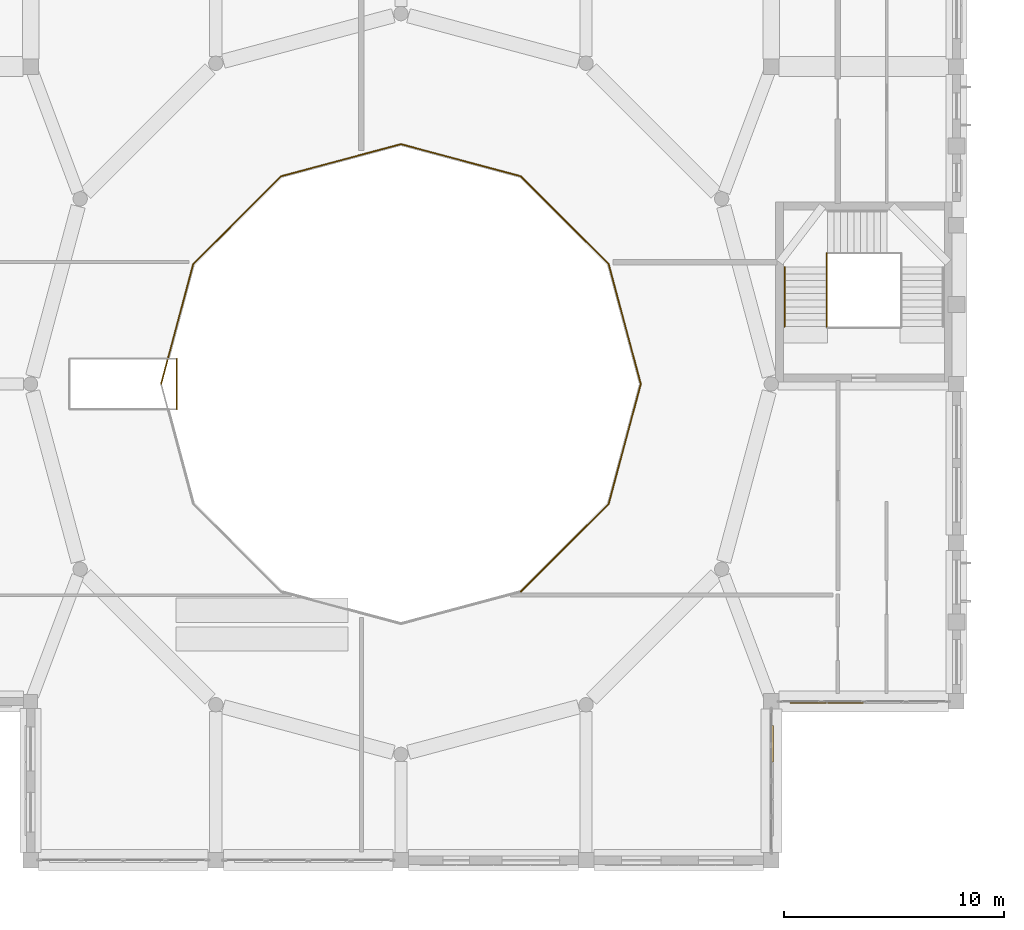
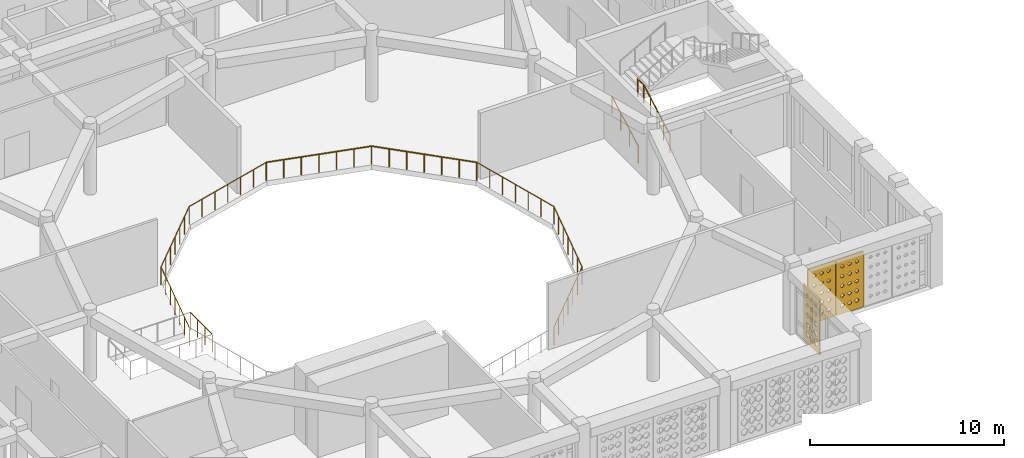
# One storey, part 66 of 79: 11 railings, 3 coverings.
"""IFC4 building model written with IfcOpenShell, lengths in metres."""

from ifc_helpers import new_model, si_unit, derived_unit, direction, frame, origin, origin_2d, place, context, subcontext, project, spatial, polyline, circle, outline, extrude, material, layer, layer_set, type_object, element, save


model = new_model("IFC4")

# Units and contexts
model_context = context("Model", 3, precision=1e-05, world=origin(), true_north=direction((0.0, 1.0)))
body_context = subcontext(model_context, "Body", "Model", "MODEL_VIEW")
ifc_project = project(units=[si_unit("LENGTHUNIT", "METRE"), si_unit("AREAUNIT", "SQUARE_METRE"), si_unit("VOLUMEUNIT", "CUBIC_METRE"), si_unit("PLANEANGLEUNIT", "RADIAN"), si_unit("MASSUNIT", "GRAM", prefix="KILO"), derived_unit("THERMALTRANSMITTANCEUNIT", [(si_unit("POWERUNIT", "WATT"), 1), (si_unit("LENGTHUNIT", "METRE"), -2), (si_unit("THERMODYNAMICTEMPERATUREUNIT", "KELVIN"), -1)])], contexts=[model_context])

# Site, building, storey
site_placement = place(None, origin())
site = spatial("IfcSite", under=ifc_project, at=site_placement, CompositionType="ELEMENT")
building_placement = place(site_placement, origin())
building = spatial("IfcBuilding", under=site, at=building_placement, Name="Veybourne Emporium", CompositionType="ELEMENT")
storey_placement = place(building_placement, frame((0.0, 0.0, 18.89990234375)))
storey = spatial("IfcBuildingStorey", under=building, at=storey_placement, Name="L04", CompositionType="ELEMENT", Elevation=18.89990234375)

# Railings
ifc_material_1 = material(Name="Patinated Architectural Bronze", Category="bronze")
railing_type_1 = type_object("IfcRailingType", Name="Balustrade_BL-01", PredefinedType="BALUSTRADE", material=ifc_material_1)
railing_1_placement = place(storey_placement, frame((86.47998046875, 50.39990234375, 0.0)))
element("IfcRailing", 1, at=railing_1_placement, inside=storey, type_object=railing_type_1, Name="L04 central atrium void balustrade 01", PredefinedType="BALUSTRADE", context=body_context, shape_type="SweptSolid", body=[
    extrude(circle(Radius=0.02392578125, at=origin_2d()), frame((0.0, 0.0, 1.1259765625), z_axis=(-0.25879025426, 0.965933540312, 0.0), x_axis=(-0.965933540312, -0.25879025426, 0.0)), (0.0, 0.0, 1.0), 5.632080078125),
    extrude(circle(Radius=0.02099609375, at=origin_2d()), origin(), (0.0, 0.0, 1.0), 1.101806640625),
    extrude(circle(Radius=0.02099609375, at=origin_2d()), frame((-0.242919921875, 0.90673828125, 0.0)), (0.0, 0.0, 1.0), 1.101806640625),
    extrude(circle(Radius=0.02099609375, at=origin_2d()), frame((-0.48583984375, 1.8134765625, 0.0)), (0.0, 0.0, 1.0), 1.101806640625),
    extrude(circle(Radius=0.02099609375, at=origin_2d()), frame((-0.728759765625, 2.72021484375, 0.0)), (0.0, 0.0, 1.0), 1.101806640625),
    extrude(circle(Radius=0.02099609375, at=origin_2d()), frame((-0.9716796875, 3.626708984375, 0.0)), (0.0, 0.0, 1.0), 1.101806640625),
    extrude(circle(Radius=0.02099609375, at=origin_2d()), frame((-1.214599609375, 4.533447265625, 0.0)), (0.0, 0.0, 1.0), 1.101806640625),
    extrude(circle(Radius=0.02099609375, at=origin_2d()), frame((-1.45751953125, 5.440185546875, 0.0)), (0.0, 0.0, 1.0), 1.101806640625),
])
railing_2_placement = place(storey_placement, frame((85.0224609375, 55.840087890625, 0.0)))
element("IfcRailing", 2, at=railing_2_placement, inside=storey, type_object=railing_type_1, Name="L04 central atrium void balustrade 02", PredefinedType="BALUSTRADE", context=body_context, shape_type="SweptSolid", body=[
    extrude(circle(Radius=0.02392578125, at=origin_2d()), frame((0.0, 0.0, 1.1259765625), z_axis=(-0.707128455954, 0.707085105755, 0.0), x_axis=(-0.707085105755, -0.707128455954, 0.0)), (0.0, 0.0, 1.0), 5.6318359375),
    extrude(circle(Radius=0.02099609375, at=origin_2d()), origin(), (0.0, 0.0, 1.0), 1.101806640625),
    extrude(circle(Radius=0.02099609375, at=origin_2d()), frame((-0.663818359375, 0.66357421875, 0.0)), (0.0, 0.0, 1.0), 1.101806640625),
    extrude(circle(Radius=0.02099609375, at=origin_2d()), frame((-1.327392578125, 1.327392578125, 0.0)), (0.0, 0.0, 1.0), 1.101806640625),
    extrude(circle(Radius=0.02099609375, at=origin_2d()), frame((-1.9912109375, 1.9912109375, 0.0)), (0.0, 0.0, 1.0), 1.101806640625),
    extrude(circle(Radius=0.02099609375, at=origin_2d()), frame((-2.655029296875, 2.65478515625, 0.0)), (0.0, 0.0, 1.0), 1.101806640625),
    extrude(circle(Radius=0.02099609375, at=origin_2d()), frame((-3.318603515625, 3.318359375, 0.0)), (0.0, 0.0, 1.0), 1.101806640625),
    extrude(circle(Radius=0.02099609375, at=origin_2d()), frame((-3.982421875, 3.982177734375, 0.0)), (0.0, 0.0, 1.0), 1.101806640625),
])
railing_3_placement = place(storey_placement, frame((81.0400390625, 59.822265625, 0.0)))
element("IfcRailing", 3, at=railing_3_placement, inside=storey, type_object=railing_type_1, Name="L04 central atrium void balustrade 03", PredefinedType="BALUSTRADE", context=body_context, shape_type="SweptSolid", body=[
    extrude(circle(Radius=0.02392578125, at=origin_2d()), frame((0.0, 0.0, 1.1259765625), z_axis=(-0.965919799386, 0.258841536762, 0.0), x_axis=(-0.258841536762, -0.965919799386, 0.0)), (0.0, 0.0, 1.0), 5.6318359375),
    extrude(circle(Radius=0.02099609375, at=origin_2d()), origin(), (0.0, 0.0, 1.0), 1.101806640625),
    extrude(circle(Radius=0.02099609375, at=origin_2d()), frame((-0.90673828125, 0.242919921875, 0.0)), (0.0, 0.0, 1.0), 1.101806640625),
    extrude(circle(Radius=0.02099609375, at=origin_2d()), frame((-1.813232421875, 0.48583984375, 0.0)), (0.0, 0.0, 1.0), 1.101806640625),
    extrude(circle(Radius=0.02099609375, at=origin_2d()), frame((-2.719970703125, 0.72900390625, 0.0)), (0.0, 0.0, 1.0), 1.101806640625),
    extrude(circle(Radius=0.02099609375, at=origin_2d()), frame((-3.626708984375, 0.971923828125, 0.0)), (0.0, 0.0, 1.0), 1.101806640625),
    extrude(circle(Radius=0.02099609375, at=origin_2d()), frame((-4.533203125, 1.21484375, 0.0)), (0.0, 0.0, 1.0), 1.101806640625),
    extrude(circle(Radius=0.02099609375, at=origin_2d()), frame((-5.43994140625, 1.457763671875, 0.0)), (0.0, 0.0, 1.0), 1.101806640625),
])
railing_4_placement = place(storey_placement, frame((75.60009765625, 61.280029296875, 0.0)))
element("IfcRailing", 4, at=railing_4_placement, inside=storey, type_object=railing_type_1, Name="L04 central atrium void balustrade 04", PredefinedType="BALUSTRADE", context=body_context, shape_type="SweptSolid", body=[
    extrude(circle(Radius=0.02392578125, at=origin_2d()), frame((0.0, 0.0, 1.1259765625), z_axis=(-0.965922703593, -0.258830698881, 0.0), x_axis=(0.258830698881, -0.965922703593, 0.0)), (0.0, 0.0, 1.0), 5.632080078125),
    extrude(circle(Radius=0.02099609375, at=origin_2d()), origin(), (0.0, 0.0, 1.0), 1.101806640625),
    extrude(circle(Radius=0.02099609375, at=origin_2d()), frame((-0.90673828125, -0.242919921875, 0.0)), (0.0, 0.0, 1.0), 1.101806640625),
    extrude(circle(Radius=0.02099609375, at=origin_2d()), frame((-1.8134765625, -0.48583984375, 0.0)), (0.0, 0.0, 1.0), 1.101806640625),
    extrude(circle(Radius=0.02099609375, at=origin_2d()), frame((-2.72021484375, -0.72900390625, 0.0)), (0.0, 0.0, 1.0), 1.101806640625),
    extrude(circle(Radius=0.02099609375, at=origin_2d()), frame((-3.626708984375, -0.971923828125, 0.0)), (0.0, 0.0, 1.0), 1.101806640625),
    extrude(circle(Radius=0.02099609375, at=origin_2d()), frame((-4.533447265625, -1.21484375, 0.0)), (0.0, 0.0, 1.0), 1.101806640625),
    extrude(circle(Radius=0.02099609375, at=origin_2d()), frame((-5.440185546875, -1.457763671875, 0.0)), (0.0, 0.0, 1.0), 1.101806640625),
])
railing_5_placement = place(storey_placement, frame((70.159912109375, 59.822265625, 0.0)))
element("IfcRailing", 5, at=railing_5_placement, inside=storey, type_object=railing_type_1, Name="L04 central atrium void balustrade 05", PredefinedType="BALUSTRADE", context=body_context, shape_type="SweptSolid", body=[
    extrude(circle(Radius=0.02392578125, at=origin_2d()), frame((0.0, 0.0, 1.1259765625), z_axis=(-0.707106781187, -0.707106781187, 0.0), x_axis=(0.707106781187, -0.707106781187, 0.0)), (0.0, 0.0, 1.0), 5.631591796875),
    extrude(circle(Radius=0.02099609375, at=origin_2d()), origin(), (0.0, 0.0, 1.0), 1.101806640625),
    extrude(circle(Radius=0.02099609375, at=origin_2d()), frame((-0.66357421875, -0.66357421875, 0.0)), (0.0, 0.0, 1.0), 1.101806640625),
    extrude(circle(Radius=0.02099609375, at=origin_2d()), frame((-1.327392578125, -1.327392578125, 0.0)), (0.0, 0.0, 1.0), 1.101806640625),
    extrude(circle(Radius=0.02099609375, at=origin_2d()), frame((-1.9912109375, -1.9912109375, 0.0)), (0.0, 0.0, 1.0), 1.101806640625),
    extrude(circle(Radius=0.02099609375, at=origin_2d()), frame((-2.65478515625, -2.65478515625, 0.0)), (0.0, 0.0, 1.0), 1.101806640625),
    extrude(circle(Radius=0.02099609375, at=origin_2d()), frame((-3.318359375, -3.318359375, 0.0)), (0.0, 0.0, 1.0), 1.101806640625),
    extrude(circle(Radius=0.02099609375, at=origin_2d()), frame((-3.982177734375, -3.982177734375, 0.0)), (0.0, 0.0, 1.0), 1.101806640625),
])
railing_6_placement = place(storey_placement, frame((66.177734375, 55.840087890625, 0.0)))
element("IfcRailing", 6, at=railing_6_placement, inside=storey, type_object=railing_type_1, Name="L04 central atrium void balustrade 06", PredefinedType="BALUSTRADE", context=body_context, shape_type="SweptSolid", body=[
    extrude(circle(Radius=0.02392578125, at=origin_2d()), frame((0.0, 0.0, 1.1259765625), z_axis=(-0.258830698881, -0.965922703593, 0.0), x_axis=(0.965922703593, -0.258830698881, 0.0)), (0.0, 0.0, 1.0), 5.632080078125),
    extrude(circle(Radius=0.02099609375, at=origin_2d()), origin(), (0.0, 0.0, 1.0), 1.101806640625),
    extrude(circle(Radius=0.02099609375, at=origin_2d()), frame((-0.242919921875, -0.90673828125, 0.0)), (0.0, 0.0, 1.0), 1.101806640625),
    extrude(circle(Radius=0.02099609375, at=origin_2d()), frame((-0.48583984375, -1.8134765625, 0.0)), (0.0, 0.0, 1.0), 1.101806640625),
    extrude(circle(Radius=0.02099609375, at=origin_2d()), frame((-0.72900390625, -2.72021484375, 0.0)), (0.0, 0.0, 1.0), 1.101806640625),
    extrude(circle(Radius=0.02099609375, at=origin_2d()), frame((-0.971923828125, -3.626708984375, 0.0)), (0.0, 0.0, 1.0), 1.101806640625),
    extrude(circle(Radius=0.02099609375, at=origin_2d()), frame((-1.21484375, -4.533447265625, 0.0)), (0.0, 0.0, 1.0), 1.101806640625),
    extrude(circle(Radius=0.02099609375, at=origin_2d()), frame((-1.457763671875, -5.440185546875, 0.0)), (0.0, 0.0, 1.0), 1.101806640625),
])
railing_7_placement = place(storey_placement, frame((81.0400390625, 40.9775390625, 0.0)))
element("IfcRailing", 7, at=railing_7_placement, inside=storey, type_object=railing_type_1, Name="L04 central atrium void balustrade 11", PredefinedType="BALUSTRADE", context=body_context, shape_type="SweptSolid", body=[
    extrude(circle(Radius=0.02392578125, at=origin_2d()), frame((0.0, 0.0, 1.1259765625), z_axis=(0.707106781187, 0.707106781187, 0.0), x_axis=(-0.707106781187, 0.707106781187, 0.0)), (0.0, 0.0, 1.0), 5.632080078125),
    extrude(circle(Radius=0.02099609375, at=origin_2d()), origin(), (0.0, 0.0, 1.0), 1.101806640625),
    extrude(circle(Radius=0.02099609375, at=origin_2d()), frame((0.663818359375, 0.663818359375, 0.0)), (0.0, 0.0, 1.0), 1.101806640625),
    extrude(circle(Radius=0.02099609375, at=origin_2d()), frame((1.327392578125, 1.327392578125, 0.0)), (0.0, 0.0, 1.0), 1.101806640625),
    extrude(circle(Radius=0.02099609375, at=origin_2d()), frame((1.9912109375, 1.9912109375, 0.0)), (0.0, 0.0, 1.0), 1.101806640625),
    extrude(circle(Radius=0.02099609375, at=origin_2d()), frame((2.655029296875, 2.655029296875, 0.0)), (0.0, 0.0, 1.0), 1.101806640625),
    extrude(circle(Radius=0.02099609375, at=origin_2d()), frame((3.318603515625, 3.318603515625, 0.0)), (0.0, 0.0, 1.0), 1.101806640625),
    extrude(circle(Radius=0.02099609375, at=origin_2d()), frame((3.982421875, 3.982421875, 0.0)), (0.0, 0.0, 1.0), 1.101806640625),
])
railing_8_placement = place(storey_placement, frame((85.0224609375, 44.9599609375, 0.0)))
element("IfcRailing", 8, at=railing_8_placement, inside=storey, type_object=railing_type_1, Name="L04 central atrium void balustrade 12", PredefinedType="BALUSTRADE", context=body_context, shape_type="SweptSolid", body=[
    extrude(circle(Radius=0.02392578125, at=origin_2d()), frame((0.0, 0.0, 1.1259765625), z_axis=(0.258801090691, 0.96593063698, 0.0), x_axis=(-0.96593063698, 0.258801090691, 0.0)), (0.0, 0.0, 1.0), 5.6318359375),
    extrude(circle(Radius=0.02099609375, at=origin_2d()), origin(), (0.0, 0.0, 1.0), 1.101806640625),
    extrude(circle(Radius=0.02099609375, at=origin_2d()), frame((0.242919921875, 0.90673828125, 0.0)), (0.0, 0.0, 1.0), 1.101806640625),
    extrude(circle(Radius=0.02099609375, at=origin_2d()), frame((0.48583984375, 1.813232421875, 0.0)), (0.0, 0.0, 1.0), 1.101806640625),
    extrude(circle(Radius=0.02099609375, at=origin_2d()), frame((0.728759765625, 2.719970703125, 0.0)), (0.0, 0.0, 1.0), 1.101806640625),
    extrude(circle(Radius=0.02099609375, at=origin_2d()), frame((0.9716796875, 3.626708984375, 0.0)), (0.0, 0.0, 1.0), 1.101806640625),
    extrude(circle(Radius=0.02099609375, at=origin_2d()), frame((1.214599609375, 4.533203125, 0.0)), (0.0, 0.0, 1.0), 1.101806640625),
    extrude(circle(Radius=0.02099609375, at=origin_2d()), frame((1.45751953125, 5.43994140625, 0.0)), (0.0, 0.0, 1.0), 1.101806640625),
])
railing_9_placement = place(storey_placement, frame((65.43994140625, 49.260009765625, 0.0)))
element("IfcRailing", 9, at=railing_9_placement, inside=storey, type_object=railing_type_1, Name="L04 escalator well balustrade 1.2", PredefinedType="BALUSTRADE", context=body_context, shape_type="SweptSolid", body=[
    extrude(circle(Radius=0.02392578125, at=origin_2d()), frame((0.0, 0.0, 1.1259765625), z_axis=(0.0, 1.0, 0.0), x_axis=(-1.0, 0.0, 0.0)), (0.0, 0.0, 1.0), 2.280029296875),
    extrude(circle(Radius=0.02099609375, at=origin_2d()), origin(), (0.0, 0.0, 1.0), 1.101806640625),
    extrude(circle(Radius=0.02099609375, at=origin_2d()), frame((0.0, 0.760009765625, 0.0)), (0.0, 0.0, 1.0), 1.101806640625),
    extrude(circle(Radius=0.02099609375, at=origin_2d()), frame((0.0, 1.52001953125, 0.0)), (0.0, 0.0, 1.0), 1.101806640625),
    extrude(circle(Radius=0.02099609375, at=origin_2d()), frame((0.0, 2.280029296875, 0.0)), (0.0, 0.0, 1.0), 1.101806640625),
])
ifc_material_2 = material(Name="Brushed Stainless Steel", Category="steel")
railing_type_2 = type_object("IfcRailingType", Name="Guard_GR-01", PredefinedType="GUARDRAIL", material=ifc_material_2)
railing_10_placement = place(storey_placement, frame((94.909912109375, 53.0, 0.0)))
element("IfcRailing", 10, at=railing_10_placement, inside=storey, type_object=railing_type_2, Name="L04 ST-07 stair guard 1", PredefinedType="GUARDRAIL", context=body_context, shape_type="SweptSolid", body=[
    extrude(circle(Radius=0.02392578125, at=origin_2d()), frame((0.0, 0.0, 1.1259765625), z_axis=(0.0, 0.87415354758, 0.485649642493), x_axis=(-1.0, 0.0, 0.0)), (0.0, 0.0, 1.0), 3.088623046875),
    extrude(circle(Radius=0.02392578125, at=origin_2d()), frame((0.0, 2.699951171875, 2.6259765625), z_axis=(0.0, 1.0, 0.0), x_axis=(-1.0, 0.0, 0.0)), (0.0, 0.0, 1.0), 0.64013671875),
    extrude(circle(Radius=0.02099609375, at=origin_2d()), origin(), (0.0, 0.0, 1.0), 1.101806640625),
    extrude(circle(Radius=0.02099609375, at=origin_2d()), frame((0.0, 0.675048828125, 0.375)), (0.0, 0.0, 1.0), 1.101806640625),
    extrude(circle(Radius=0.02099609375, at=origin_2d()), frame((0.0, 1.35009765625, 0.75)), (0.0, 0.0, 1.0), 1.101806640625),
    extrude(circle(Radius=0.02099609375, at=origin_2d()), frame((0.0, 2.02490234375, 1.125)), (0.0, 0.0, 1.0), 1.101806640625),
    extrude(circle(Radius=0.02099609375, at=origin_2d()), frame((0.0, 2.699951171875, 1.5)), (0.0, 0.0, 1.0), 1.101806640625),
    extrude(circle(Radius=0.02099609375, at=origin_2d()), frame((0.0, 3.340087890625, 1.5)), (0.0, 0.0, 1.0), 1.101806640625),
])
railing_type_3 = type_object("IfcRailingType", Name="Handrail_HR-01", PredefinedType="HANDRAIL", material=ifc_material_2)
railing_11_placement = place(storey_placement, frame((93.010009765625, 53.0, 0.150146484375)))
element("IfcRailing", 11, at=railing_11_placement, inside=storey, type_object=railing_type_3, Name="L04 ST-07 pitch handrail 1", PredefinedType="HANDRAIL", context=body_context, shape_type="SweptSolid", body=[
    extrude(circle(Radius=0.02392578125, at=origin_2d()), frame((0.0, 0.0, 0.92578125), z_axis=(0.0, 0.87415354758, 0.485649642493), x_axis=(-1.0, 0.0, 0.0)), (0.0, 0.0, 1.0), 3.088623046875),
    extrude(circle(Radius=0.02099609375, at=origin_2d()), frame((0.0, 0.0, -0.14990234375)), (0.0, 0.0, 1.0), 1.0517578125),
    extrude(circle(Radius=0.02099609375, at=origin_2d()), frame((0.0, 0.89990234375, 0.35009765625)), (0.0, 0.0, 1.0), 1.0517578125),
    extrude(circle(Radius=0.02099609375, at=origin_2d()), frame((0.0, 1.800048828125, 0.85009765625)), (0.0, 0.0, 1.0), 1.0517578125),
    extrude(circle(Radius=0.02099609375, at=origin_2d()), frame((0.0, 2.699951171875, 1.35009765625)), (0.0, 0.0, 1.0), 1.0517578125),
])

# Coverings
ifc_material_3 = material(Name="Warm-White Perforated Aluminium Screen Alloy", Category="aluminium")
ifc_layer_1 = layer(ifc_material_3, 0.06005859375)
ifc_layer_set_1 = layer_set([ifc_layer_1], Name="Warm-White Perforated Aluminium Screen Alloy")
covering_type_1 = type_object("IfcCoveringType", Name="WaveScreen_SCR-01", PredefinedType="CLADDING", material=ifc_layer_set_1)
covering_1_placement = place(storey_placement, frame((94.080078125, 35.903076171875, 1.815185546875), z_axis=(0.0, 1.0, 0.0), x_axis=(-1.0, 0.0, 0.0)))
element("IfcCovering", 12, at=covering_1_placement, inside=storey, type_object=covering_type_1, Name="L04 wave-perforated aluminium screen SCR-01 (48C.4)", PredefinedType="CLADDING", context=body_context, shape_type="SweptSolid", body=[
    extrude(outline(polyline([(-0.81982421875, -1.7548828125), (0.81982421875, -1.7548828125), (0.81982421875, 1.7548828125), (-0.81982421875, 1.7548828125), (-0.81982421875, -1.7548828125)]), holes=[polyline([(-0.433349609375, -1.086181640625), (-0.307373046875, -1.177001953125), (-0.307373046875, -1.279052734375), (-0.433349609375, -1.369873046875), (-0.559326171875, -1.279052734375), (-0.559326171875, -1.177001953125), (-0.433349609375, -1.086181640625)]), polyline([(-0.433349609375, -0.482666015625), (-0.31591796875, -0.566650390625), (-0.31591796875, -0.661376953125), (-0.433349609375, -0.745361328125), (-0.55078125, -0.661376953125), (-0.55078125, -0.566650390625), (-0.433349609375, -0.482666015625)]), polyline([(-0.433349609375, 0.122802734375), (-0.322998046875, 0.044189453125), (-0.322998046875, -0.044189453125), (-0.433349609375, -0.122802734375), (-0.543701171875, -0.044189453125), (-0.543701171875, 0.044189453125), (-0.433349609375, 0.122802734375)]), polyline([(-0.433349609375, 0.730224609375), (-0.328125, 0.656005859375), (-0.328125, 0.572021484375), (-0.433349609375, 0.497802734375), (-0.53857421875, 0.572021484375), (-0.53857421875, 0.656005859375), (-0.433349609375, 0.730224609375)]), polyline([(-0.433349609375, 1.340087890625), (-0.331787109375, 1.268310546875), (-0.331787109375, 1.187744140625), (-0.433349609375, 1.115966796875), (-0.534912109375, 1.187744140625), (-0.534912109375, 1.268310546875), (-0.433349609375, 1.340087890625)]), polyline([(0.0, -1.0810546875), (0.13037109375, -1.175048828125), (0.13037109375, -1.281005859375), (0.0, -1.375), (-0.13037109375, -1.281005859375), (-0.13037109375, -1.175048828125), (0.0, -1.0810546875)]), polyline([(0.0, -0.47802734375), (0.12109375, -0.565185546875), (0.12109375, -0.662841796875), (0.0, -0.75), (-0.12109375, -0.662841796875), (-0.12109375, -0.565185546875), (0.0, -0.47802734375)]), polyline([(0.0, 0.12646484375), (0.113525390625, 0.04541015625), (0.113525390625, -0.04541015625), (0.0, -0.12646484375), (-0.113525390625, -0.04541015625), (-0.113525390625, 0.04541015625), (0.0, 0.12646484375)]), polyline([(0.0, 0.73291015625), (0.107421875, 0.65673828125), (0.107421875, 0.5712890625), (0.0, 0.4951171875), (-0.107421875, 0.5712890625), (-0.107421875, 0.65673828125), (0.0, 0.73291015625)]), polyline([(0.0, 1.341796875), (0.10302734375, 1.268798828125), (0.10302734375, 1.18701171875), (0.0, 1.1142578125), (-0.10302734375, 1.18701171875), (-0.10302734375, 1.268798828125), (0.0, 1.341796875)]), polyline([(0.433349609375, -1.075439453125), (0.568115234375, -1.173095703125), (0.568115234375, -1.282958984375), (0.433349609375, -1.380615234375), (0.298583984375, -1.282958984375), (0.298583984375, -1.173095703125), (0.433349609375, -1.075439453125)]), polyline([(0.433349609375, -0.473388671875), (0.55859375, -0.563232421875), (0.55859375, -0.664794921875), (0.433349609375, -0.754638671875), (0.30810546875, -0.664794921875), (0.30810546875, -0.563232421875), (0.433349609375, -0.473388671875)]), polyline([(0.433349609375, 0.130615234375), (0.550048828125, 0.047119140625), (0.550048828125, -0.047119140625), (0.433349609375, -0.130615234375), (0.316650390625, -0.047119140625), (0.316650390625, 0.047119140625), (0.433349609375, 0.130615234375)]), polyline([(0.433349609375, 0.736083984375), (0.543212890625, 0.657958984375), (0.543212890625, 0.570068359375), (0.433349609375, 0.491943359375), (0.323486328125, 0.570068359375), (0.323486328125, 0.657958984375), (0.433349609375, 0.736083984375)]), polyline([(0.433349609375, 1.34375), (0.5380859375, 1.269775390625), (0.5380859375, 1.186279296875), (0.433349609375, 1.1123046875), (0.32861328125, 1.186279296875), (0.32861328125, 1.269775390625), (0.433349609375, 1.34375)])]), origin(), (0.0, 0.0, 1.0), 0.06005859375),
])
ifc_layer_2 = layer(ifc_material_3, 0.06005859375)
ifc_layer_set_2 = layer_set([ifc_layer_2], Name="Warm-White Perforated Aluminium Screen Alloy")
covering_type_2 = type_object("IfcCoveringType", Name="WaveScreen_SCR-04", PredefinedType="CLADDING", material=ifc_layer_set_2)
covering_2_placement = place(storey_placement, frame((92.494140625, 34.080078125, 1.815185546875), z_axis=(-1.0, 0.0, 0.0), x_axis=(0.0, -1.0, 0.0)))
element("IfcCovering", 13, at=covering_2_placement, inside=storey, type_object=covering_type_2, Name="L04 wave-perforated aluminium screen SCR-04 (42C.1)", PredefinedType="CLADDING", context=body_context, shape_type="SweptSolid", body=[
    extrude(outline(polyline([(-0.81982421875, -1.7548828125), (0.81982421875, -1.7548828125), (0.81982421875, 1.7548828125), (-0.81982421875, 1.7548828125), (-0.81982421875, -1.7548828125)]), holes=[polyline([(-0.433349609375, -1.03857421875), (-0.268310546875, -1.159912109375), (-0.268310546875, -1.296142578125), (-0.433349609375, -1.41748046875), (-0.598388671875, -1.296142578125), (-0.598388671875, -1.159912109375), (-0.433349609375, -1.03857421875)]), polyline([(-0.433349609375, -0.438720703125), (-0.27978515625, -0.55078125), (-0.27978515625, -0.677001953125), (-0.433349609375, -0.789306640625), (-0.5869140625, -0.677001953125), (-0.5869140625, -0.55078125), (-0.433349609375, -0.438720703125)]), polyline([(-0.433349609375, 0.161865234375), (-0.291015625, 0.05810546875), (-0.291015625, -0.05810546875), (-0.433349609375, -0.161865234375), (-0.57568359375, -0.05810546875), (-0.57568359375, 0.05810546875), (-0.433349609375, 0.161865234375)]), polyline([(-0.433349609375, 0.76318359375), (-0.30126953125, 0.667724609375), (-0.30126953125, 0.560302734375), (-0.433349609375, 0.46484375), (-0.565185546875, 0.560302734375), (-0.565185546875, 0.667724609375), (-0.433349609375, 0.76318359375)]), polyline([(-0.433349609375, 1.36572265625), (-0.310546875, 1.277587890625), (-0.310546875, 1.178466796875), (-0.433349609375, 1.090087890625), (-0.555908203125, 1.178466796875), (-0.555908203125, 1.277587890625), (-0.433349609375, 1.36572265625)]), polyline([(0.0, -1.0322265625), (0.170166015625, -1.157470703125), (0.170166015625, -1.298583984375), (0.0, -1.423828125), (-0.170166015625, -1.298583984375), (-0.170166015625, -1.157470703125), (0.0, -1.0322265625)]), polyline([(0.0, -0.432373046875), (0.15869140625, -0.548583984375), (0.15869140625, -0.679443359375), (0.0, -0.795654296875), (-0.15869140625, -0.679443359375), (-0.15869140625, -0.548583984375), (0.0, -0.432373046875)]), polyline([(0.0, 0.167724609375), (0.147216796875, 0.060302734375), (0.147216796875, -0.060302734375), (0.0, -0.167724609375), (-0.147216796875, -0.060302734375), (-0.147216796875, 0.060302734375), (0.0, 0.167724609375)]), polyline([(0.0, 0.768798828125), (0.13671875, 0.669677734375), (0.13671875, 0.558349609375), (0.0, 0.459228515625), (-0.13671875, 0.558349609375), (-0.13671875, 0.669677734375), (0.0, 0.768798828125)]), polyline([(0.0, 1.37060546875), (0.126708984375, 1.279296875), (0.126708984375, 1.176513671875), (0.0, 1.085205078125), (-0.126708984375, 1.176513671875), (-0.126708984375, 1.279296875), (0.0, 1.37060546875)]), polyline([(0.433349609375, -1.02587890625), (0.60888671875, -1.1552734375), (0.60888671875, -1.30078125), (0.433349609375, -1.43017578125), (0.2578125, -1.30078125), (0.2578125, -1.1552734375), (0.433349609375, -1.02587890625)]), polyline([(0.433349609375, -0.42578125), (0.59716796875, -0.54638671875), (0.59716796875, -0.681640625), (0.433349609375, -0.802001953125), (0.26953125, -0.681640625), (0.26953125, -0.54638671875), (0.433349609375, -0.42578125)]), polyline([(0.433349609375, 0.174072265625), (0.585693359375, 0.062744140625), (0.585693359375, -0.062744140625), (0.433349609375, -0.174072265625), (0.281005859375, -0.062744140625), (0.281005859375, 0.062744140625), (0.433349609375, 0.174072265625)]), polyline([(0.433349609375, 0.7744140625), (0.57470703125, 0.671875), (0.57470703125, 0.55615234375), (0.433349609375, 0.45361328125), (0.2919921875, 0.55615234375), (0.2919921875, 0.671875), (0.433349609375, 0.7744140625)]), polyline([(0.433349609375, 1.3759765625), (0.564453125, 1.28125), (0.564453125, 1.1748046875), (0.433349609375, 1.080078125), (0.30224609375, 1.1748046875), (0.30224609375, 1.28125), (0.433349609375, 1.3759765625)])]), origin(), (0.0, 0.0, 1.0), 0.06005859375),
])
covering_3_placement = place(storey_placement, frame((95.760009765625, 35.903076171875, 1.815185546875), z_axis=(0.0, 1.0, 0.0), x_axis=(-1.0, 0.0, 0.0)))
element("IfcCovering", 14, at=covering_3_placement, inside=storey, type_object=covering_type_2, Name="L04 wave-perforated aluminium screen SCR-04 (48C.3)", PredefinedType="CLADDING", context=body_context, shape_type="SweptSolid", body=[
    extrude(outline(polyline([(-0.81982421875, -1.7548828125), (0.81982421875, -1.7548828125), (0.81982421875, 1.7548828125), (-0.81982421875, 1.7548828125), (-0.81982421875, -1.7548828125)]), holes=[polyline([(-0.433349609375, -1.103271484375), (-0.3212890625, -1.18310546875), (-0.3212890625, -1.27294921875), (-0.433349609375, -1.352783203125), (-0.54541015625, -1.27294921875), (-0.54541015625, -1.18310546875), (-0.433349609375, -1.103271484375)]), polyline([(-0.433349609375, -0.496337890625), (-0.3271484375, -0.571533203125), (-0.3271484375, -0.656494140625), (-0.433349609375, -0.731689453125), (-0.53955078125, -0.656494140625), (-0.53955078125, -0.571533203125), (-0.433349609375, -0.496337890625)]), polyline([(-0.433349609375, 0.11279296875), (-0.3310546875, 0.04052734375), (-0.3310546875, -0.04052734375), (-0.433349609375, -0.11279296875), (-0.53564453125, -0.04052734375), (-0.53564453125, 0.04052734375), (-0.433349609375, 0.11279296875)]), polyline([(-0.433349609375, 0.724365234375), (-0.3330078125, 0.65380859375), (-0.3330078125, 0.57421875), (-0.433349609375, 0.503662109375), (-0.53369140625, 0.57421875), (-0.53369140625, 0.65380859375), (-0.433349609375, 0.724365234375)]), polyline([(-0.433349609375, 1.33837890625), (-0.3330078125, 1.267578125), (-0.3330078125, 1.188232421875), (-0.433349609375, 1.11767578125), (-0.53369140625, 1.188232421875), (-0.53369140625, 1.267578125), (-0.433349609375, 1.33837890625)]), polyline([(0.0, -1.099365234375), (0.115234375, -1.181640625), (0.115234375, -1.2744140625), (0.0, -1.356689453125), (-0.115234375, -1.2744140625), (-0.115234375, -1.181640625), (0.0, -1.099365234375)]), polyline([(0.0, -0.493408203125), (0.108642578125, -0.570556640625), (0.108642578125, -0.657470703125), (0.0, -0.734619140625), (-0.108642578125, -0.657470703125), (-0.108642578125, -0.570556640625), (0.0, -0.493408203125)]), polyline([(0.0, 0.11474609375), (0.10400390625, 0.041259765625), (0.10400390625, -0.041259765625), (0.0, -0.11474609375), (-0.10400390625, -0.041259765625), (-0.10400390625, 0.041259765625), (0.0, 0.11474609375)]), polyline([(0.0, 0.72509765625), (0.10107421875, 0.654052734375), (0.10107421875, 0.573974609375), (0.0, 0.502685546875), (-0.10107421875, 0.573974609375), (-0.10107421875, 0.654052734375), (0.0, 0.72509765625)]), polyline([(0.0, 1.337890625), (0.10009765625, 1.267578125), (0.10009765625, 1.1884765625), (0.0, 1.117919921875), (-0.10009765625, 1.1884765625), (-0.10009765625, 1.267578125), (0.0, 1.337890625)]), polyline([(0.433349609375, -1.09521484375), (0.552001953125, -1.18017578125), (0.552001953125, -1.27587890625), (0.433349609375, -1.36083984375), (0.314697265625, -1.27587890625), (0.314697265625, -1.18017578125), (0.433349609375, -1.09521484375)]), polyline([(0.433349609375, -0.489990234375), (0.544677734375, -0.5693359375), (0.544677734375, -0.65869140625), (0.433349609375, -0.738037109375), (0.322021484375, -0.65869140625), (0.322021484375, -0.5693359375), (0.433349609375, -0.489990234375)]), polyline([(0.433349609375, 0.1171875), (0.539306640625, 0.042236328125), (0.539306640625, -0.042236328125), (0.433349609375, -0.1171875), (0.327392578125, -0.042236328125), (0.327392578125, 0.042236328125), (0.433349609375, 0.1171875)]), polyline([(0.433349609375, 0.7265625), (0.535400390625, 0.654541015625), (0.535400390625, 0.573486328125), (0.433349609375, 0.50146484375), (0.331298828125, 0.573486328125), (0.331298828125, 0.654541015625), (0.433349609375, 0.7265625)]), polyline([(0.433349609375, 1.338134765625), (0.533447265625, 1.267578125), (0.533447265625, 1.188232421875), (0.433349609375, 1.117919921875), (0.3330078125, 1.188232421875), (0.3330078125, 1.267578125), (0.433349609375, 1.338134765625)])]), origin(), (0.0, 0.0, 1.0), 0.06005859375),
])

save(model, "model.ifc")
